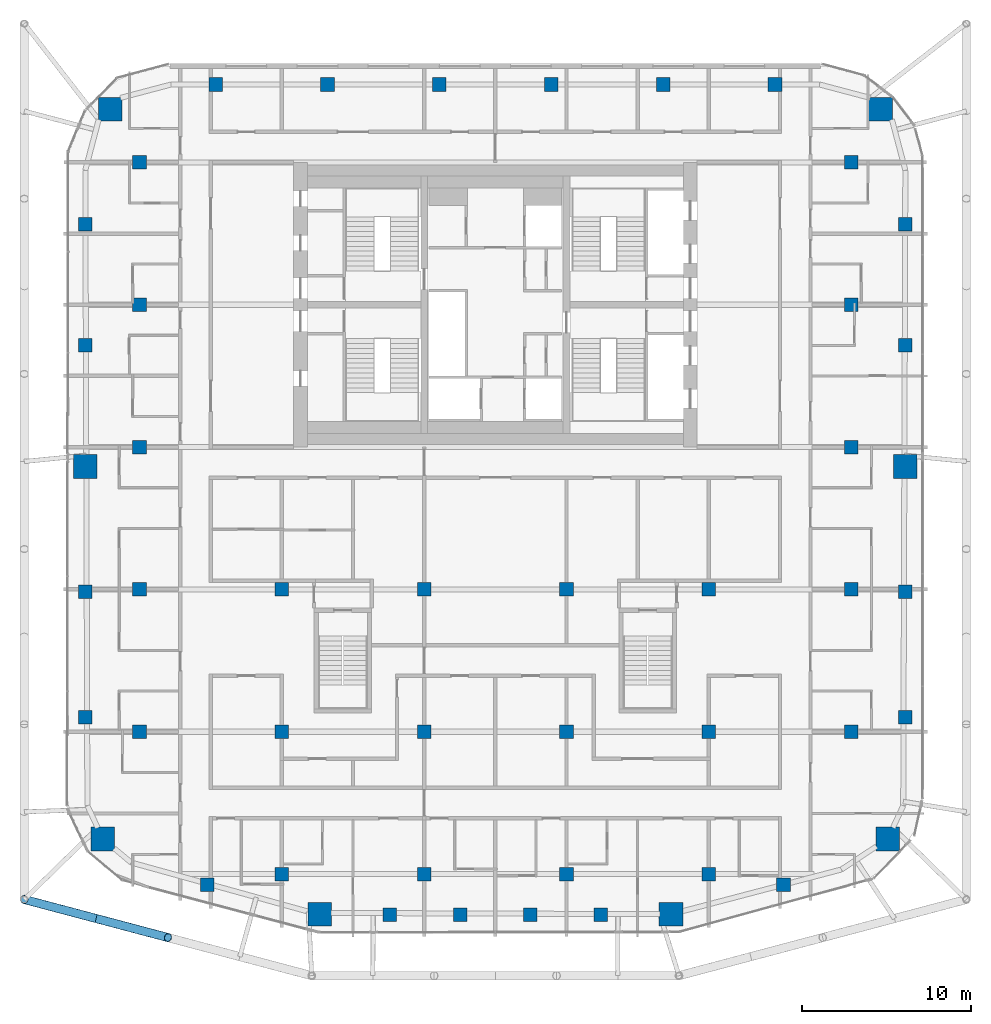
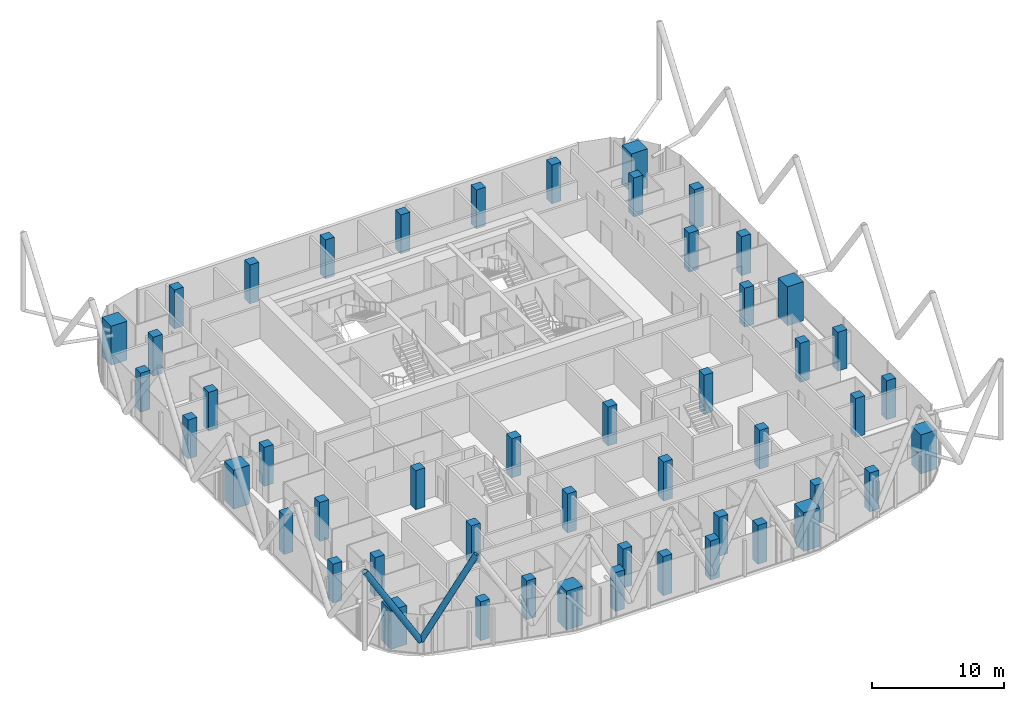
# One storey, part 1 of 31: 50 columns, 2 members.
"""IFC4 building model written with IfcOpenShell, lengths in metres."""

from ifc_helpers import new_model, si_unit, direction, frame, origin, origin_2d, place, context, subcontext, project, spatial, rectangle, hollow_circle, extrude, material, material_profile, profile_set, type_object, element, save


model = new_model("IFC4")

# Units and contexts
model_context = context("Model", 3, precision=1e-05, world=origin(), true_north=direction((0.0, 1.0)))
body_context = subcontext(model_context, "Body", "Model", "MODEL_VIEW")
ifc_project = project(units=[si_unit("LENGTHUNIT", "METRE"), si_unit("AREAUNIT", "SQUARE_METRE"), si_unit("VOLUMEUNIT", "CUBIC_METRE"), si_unit("PLANEANGLEUNIT", "RADIAN"), si_unit("MASSUNIT", "GRAM", prefix="KILO")], contexts=[model_context])

# Site, building, storey
site_placement = place(None, origin())
site = spatial("IfcSite", under=ifc_project, at=site_placement, CompositionType="ELEMENT")
building_placement = place(site_placement, origin())
building = spatial("IfcBuilding", under=site, at=building_placement, Name="Marenta Gate Hotel Tower", CompositionType="ELEMENT")
storey_placement = place(building_placement, frame((0.0, 0.0, 234.5)))
storey = spatial("IfcBuildingStorey", under=building, at=storey_placement, Name="L55", CompositionType="ELEMENT", Elevation=234.5)

# Columns
ifc_material_1 = material(Name="Concrete C60", Category="concrete")
ifc_material_profile_1 = material_profile(ifc_material_1, rectangle(XDim=0.800048828125, YDim=0.800048828125, at=origin_2d()), Name="800 x 800")
ifc_profile_set_1 = profile_set([ifc_material_profile_1], Name="Concrete C60")
column_type_1 = type_object("IfcColumnType", Name="Edge column 800 x 800 C60", PredefinedType="COLUMN", material=ifc_profile_set_1)
for number, where, z_axis, x_axis, name in (
    (1, (-24.199951171875, -15.951904296875, 0.0), (0.0, 0.0, 1.0), (1.0, 0.0, 0.0), "L55-EC-SW-W-1"),
    (2, (-24.199951171875, -8.55078125, 0.0), (0.0, 0.0, 1.0), (1.0, 0.0, 0.0), "L55-EC-SW-W-2"),
    (3, (-24.199951171875, 6.003173828125, 0.0), (0.0, 0.0, 1.0), (1.0, 0.0, 0.0), "L55-EC-W-NW-1"),
    (4, (-24.199951171875, 13.156494140625, 0.0), (0.0, 0.0, 1.0), (1.0, 0.0, 0.0), "L55-EC-W-NW-2"),
    (5, (-16.5068359375, 21.39990234375, 0.0), (0.0, 0.0, 1.0), (1.0, 0.0, 0.0), "L55-EC-NW-NE-1"),
    (6, (-9.904052734375, 21.39990234375, 0.0), (0.0, 0.0, 1.0), (1.0, 0.0, 0.0), "L55-EC-NW-NE-2"),
    (7, (-3.301513671875, 21.39990234375, 0.0), (0.0, 0.0, 1.0), (1.0, 0.0, 0.0), "L55-EC-NW-NE-3"),
    (8, (3.301513671875, 21.39990234375, 0.0), (0.0, 0.0, 1.0), (1.0, 0.0, 0.0), "L55-EC-NW-NE-4"),
    (9, (9.904052734375, 21.39990234375, 0.0), (0.0, 0.0, 1.0), (1.0, 0.0, 0.0), "L55-EC-NW-NE-5"),
    (10, (16.5068359375, 21.39990234375, 0.0), (0.0, 0.0, 1.0), (1.0, 0.0, 0.0), "L55-EC-NW-NE-6"),
    (11, (24.199951171875, 13.156494140625, 0.0), (0.0, 0.0, 1.0), (1.0, 0.0, 0.0), "L55-EC-NE-E-1"),
    (12, (24.199951171875, 6.003173828125, 0.0), (0.0, 0.0, 1.0), (1.0, 0.0, 0.0), "L55-EC-NE-E-2"),
    (13, (24.199951171875, -8.55078125, 0.0), (0.0, 0.0, 1.0), (1.0, 0.0, 0.0), "L55-EC-E-SE-1"),
    (14, (24.199951171875, -15.951904296875, 0.0), (0.0, 0.0, 1.0), (1.0, 0.0, 0.0), "L55-EC-E-SE-2"),
    (15, (17.0068359375, -25.839111328125, 0.0), (0.0, 0.0, 1.0), (1.0, 0.0, 0.0), "L55-EC-SE-SKE-1"),
    (16, (6.22021484375, -27.60009765625, 0.0), (0.0, 0.0, 1.0), (1.0, 0.0, 0.0), "L55-EC-SKE-SKW-1"),
    (17, (2.073486328125, -27.60009765625, 0.0), (0.0, 0.0, 1.0), (1.0, 0.0, 0.0), "L55-EC-SKE-SKW-2"),
    (18, (-2.073486328125, -27.60009765625, 0.0), (0.0, 0.0, 1.0), (1.0, 0.0, 0.0), "L55-EC-SKE-SKW-3"),
    (19, (-6.22021484375, -27.60009765625, 0.0), (0.0, 0.0, 1.0), (1.0, 0.0, 0.0), "L55-EC-SKE-SKW-4"),
    (20, (-17.0068359375, -25.839111328125, 0.0), (0.0, 0.0, 1.0), (1.0, 0.0, 0.0), "L55-EC-SKW-SW-1"),
):
    element("IfcColumn", number, at=place(storey_placement, frame(where, z_axis=z_axis, x_axis=x_axis)), inside=storey, type_object=column_type_1, Name=name, PredefinedType="COLUMN", context=body_context, shape_type="SweptSolid", body=[
        extrude(rectangle(XDim=0.800048828125, YDim=0.800048828125, at=origin_2d()), origin(), (0.0, 0.0, 1.0), 3.60009765625),
    ])
ifc_material_2 = material(Name="Concrete C60", Category="concrete")
ifc_material_profile_2 = material_profile(ifc_material_2, rectangle(XDim=0.800048828125, YDim=0.800048828125, at=origin_2d()), Name="800 x 800")
ifc_profile_set_2 = profile_set([ifc_material_profile_2], Name="Concrete C60")
column_type_2 = type_object("IfcColumnType", Name="Interior column 800 x 800 C60", PredefinedType="COLUMN", material=ifc_profile_set_2)
for number, where, z_axis, x_axis, name in (
    (21, (-21.0, -16.800048828125, 0.0), (0.0, 0.0, 1.0), (1.0, 0.0, 0.0), "L55-IC-4D"),
    (22, (-21.0, -8.39990234375, 0.0), (0.0, 0.0, 1.0), (1.0, 0.0, 0.0), "L55-IC-4E"),
    (23, (-21.0, 0.0, 0.0), (0.0, 0.0, 1.0), (1.0, 0.0, 0.0), "L55-IC-4F"),
    (24, (-21.0, 8.39990234375, 0.0), (0.0, 0.0, 1.0), (1.0, 0.0, 0.0), "L55-IC-4G"),
    (25, (-21.0, 16.800048828125, 0.0), (0.0, 0.0, 1.0), (1.0, 0.0, 0.0), "L55-IC-4H"),
    (26, (-12.60009765625, -25.199951171875, 0.0), (0.0, 0.0, 1.0), (1.0, 0.0, 0.0), "L55-IC-5C"),
    (27, (-12.60009765625, -16.800048828125, 0.0), (0.0, 0.0, 1.0), (1.0, 0.0, 0.0), "L55-IC-5D"),
    (28, (-12.60009765625, -8.39990234375, 0.0), (0.0, 0.0, 1.0), (1.0, 0.0, 0.0), "L55-IC-5E"),
    (29, (-4.199951171875, -25.199951171875, 0.0), (0.0, 0.0, 1.0), (1.0, 0.0, 0.0), "L55-IC-6C"),
    (30, (-4.199951171875, -16.800048828125, 0.0), (0.0, 0.0, 1.0), (1.0, 0.0, 0.0), "L55-IC-6D"),
    (31, (-4.199951171875, -8.39990234375, 0.0), (0.0, 0.0, 1.0), (1.0, 0.0, 0.0), "L55-IC-6E"),
    (32, (4.199951171875, -25.199951171875, 0.0), (0.0, 0.0, 1.0), (1.0, 0.0, 0.0), "L55-IC-7C"),
    (33, (4.199951171875, -16.800048828125, 0.0), (0.0, 0.0, 1.0), (1.0, 0.0, 0.0), "L55-IC-7D"),
    (34, (4.199951171875, -8.39990234375, 0.0), (0.0, 0.0, 1.0), (1.0, 0.0, 0.0), "L55-IC-7E"),
    (35, (12.60009765625, -25.199951171875, 0.0), (0.0, 0.0, 1.0), (1.0, 0.0, 0.0), "L55-IC-8C"),
    (36, (12.60009765625, -16.800048828125, 0.0), (0.0, 0.0, 1.0), (1.0, 0.0, 0.0), "L55-IC-8D"),
    (37, (12.60009765625, -8.39990234375, 0.0), (0.0, 0.0, 1.0), (1.0, 0.0, 0.0), "L55-IC-8E"),
    (38, (21.0, -16.800048828125, 0.0), (0.0, 0.0, 1.0), (1.0, 0.0, 0.0), "L55-IC-9D"),
    (39, (21.0, -8.39990234375, 0.0), (0.0, 0.0, 1.0), (1.0, 0.0, 0.0), "L55-IC-9E"),
    (40, (21.0, 0.0, 0.0), (0.0, 0.0, 1.0), (1.0, 0.0, 0.0), "L55-IC-9F"),
    (41, (21.0, 8.39990234375, 0.0), (0.0, 0.0, 1.0), (1.0, 0.0, 0.0), "L55-IC-9G"),
    (42, (21.0, 16.800048828125, 0.0), (0.0, 0.0, 1.0), (1.0, 0.0, 0.0), "L55-IC-9H"),
):
    element("IfcColumn", number, at=place(storey_placement, frame(where, z_axis=z_axis, x_axis=x_axis)), inside=storey, type_object=column_type_2, Name=name, PredefinedType="COLUMN", context=body_context, shape_type="SweptSolid", body=[
        extrude(rectangle(XDim=0.800048828125, YDim=0.800048828125, at=origin_2d()), origin(), (0.0, 0.0, 1.0), 3.60009765625),
    ])
ifc_material_3 = material(Name="Concrete C60", Category="concrete")
ifc_material_profile_3 = material_profile(ifc_material_3, rectangle(XDim=1.39990234375, YDim=1.39990234375, at=origin_2d()), Name="1400 x 1400")
ifc_profile_set_3 = profile_set([ifc_material_profile_3], Name="Concrete C60")
column_type_3 = type_object("IfcColumnType", Name="Mega column 1400 x 1400 C60", PredefinedType="COLUMN", material=ifc_profile_set_3)
for number, where, z_axis, x_axis, name in (
    (43, (-23.1630859375, -23.133056640625, 0.0), (0.0, 0.0, 1.0), (1.0, 0.0, 0.0), "L55-MC-SW"),
    (44, (-10.3662109375, -27.57470703125, 0.0), (0.0, 0.0, 1.0), (1.0, 0.0, 0.0), "L55-MC-SKW"),
    (45, (10.3662109375, -27.57470703125, 0.0), (0.0, 0.0, 1.0), (1.0, 0.0, 0.0), "L55-MC-SKE"),
    (46, (23.1630859375, -23.133056640625, 0.0), (0.0, 0.0, 1.0), (1.0, 0.0, 0.0), "L55-MC-SE"),
    (47, (24.199951171875, -1.14990234375, 0.0), (0.0, 0.0, 1.0), (1.0, 0.0, 0.0), "L55-MC-E"),
    (48, (22.735595703125, 19.935546875, 0.0), (0.0, 0.0, 1.0), (1.0, 0.0, 0.0), "L55-MC-NE"),
    (49, (-22.735595703125, 19.935546875, 0.0), (0.0, 0.0, 1.0), (1.0, 0.0, 0.0), "L55-MC-NW"),
    (50, (-24.199951171875, -1.14990234375, 0.0), (0.0, 0.0, 1.0), (1.0, 0.0, 0.0), "L55-MC-W"),
):
    element("IfcColumn", number, at=place(storey_placement, frame(where, z_axis=z_axis, x_axis=x_axis)), inside=storey, type_object=column_type_3, Name=name, PredefinedType="COLUMN", context=body_context, shape_type="SweptSolid", body=[
        extrude(rectangle(XDim=1.39990234375, YDim=1.39990234375, at=origin_2d()), origin(), (0.0, 0.0, 1.0), 3.60009765625),
    ])

# Members
ifc_material_4 = material(Name="Steel S355J2W", Category="steel")
ifc_material_profile_4 = material_profile(ifc_material_4, hollow_circle(Radius=0.25390625, WallThickness=0.02490234375, at=origin_2d()), Name="CHS 508x25")
ifc_profile_set_4 = profile_set([ifc_material_profile_4], Name="Steel S355J2W")
member_type = type_object("IfcMemberType", Name="Diagrid diagonal Z3 CHS 508x25", PredefinedType="BRACE", material=ifc_profile_set_4)
for number, where, z_axis, x_axis, name in (
    (51, (-23.559814453125, -27.8251953125, 3.139892578125), (0.50291158245, -0.13343024942, 0.853976761263), (0.256443187528, 0.96655930577, 0.0), "L55-DG-23"),
    (52, (-23.559814453125, -27.8251953125, 3.139892578125), (-0.50291158245, 0.13343024942, 0.853976761263), (-0.256443187528, -0.96655930577, 0.0), "L55-DG-24"),
):
    element("IfcMember", number, at=place(storey_placement, frame(where, z_axis=z_axis, x_axis=x_axis)), inside=storey, type_object=member_type, Name=name, PredefinedType="BRACE", context=body_context, shape_type="SweptSolid", body=[
        extrude(hollow_circle(Radius=0.25390625, WallThickness=0.02490234375, at=origin_2d()), origin(), (0.0, 0.0, 1.0), 8.431396484375),
    ])

save(model, "model.ifc")
